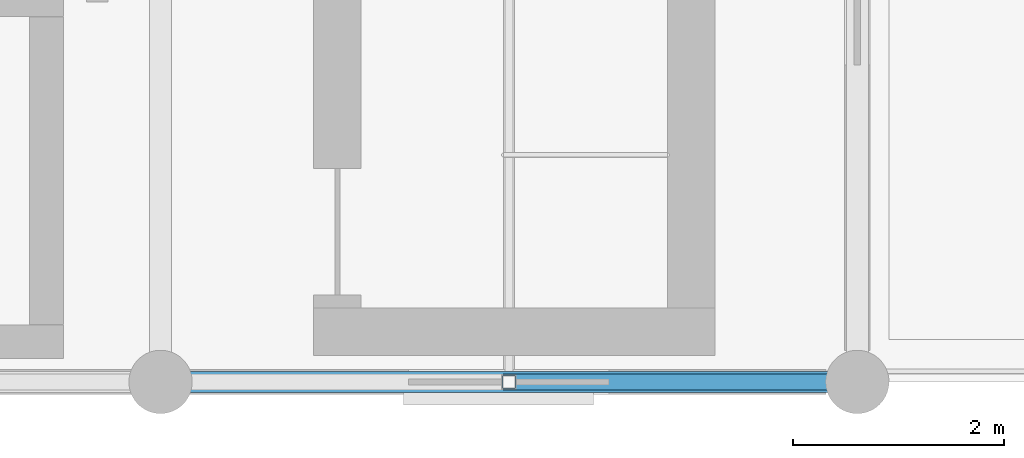
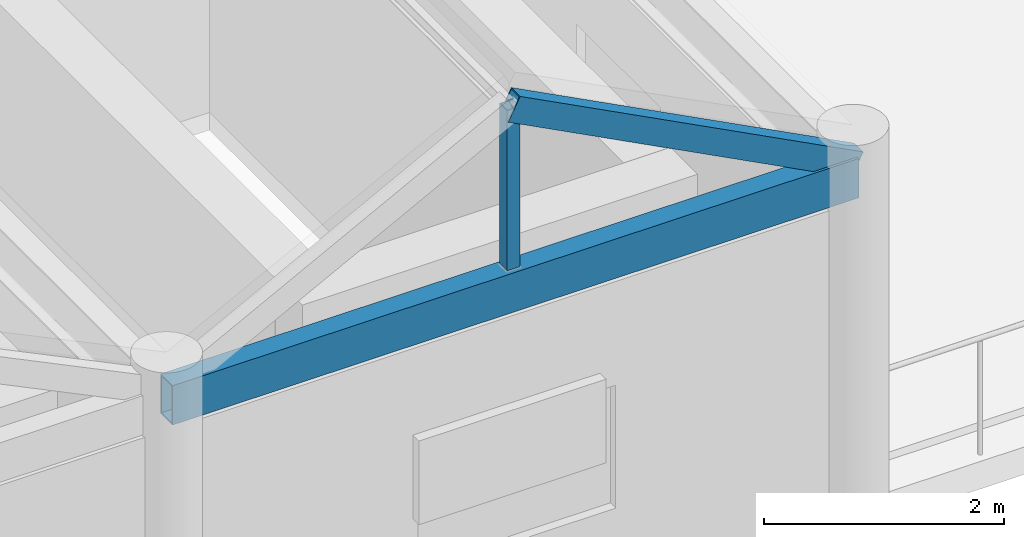
# One storey, part 6 of 21: 2 members, 1 beam.
"""IFC4 building model written with IfcOpenShell, lengths in metres."""

from ifc_helpers import new_model, si_unit, direction, frame, origin, origin_2d, place, context, subcontext, project, spatial, hollow_rectangle, extrude, material, material_profile, profile_set, type_object, element, save


model = new_model("IFC4")

# Units and contexts
model_context = context("Model", 3, precision=1e-05, world=origin(), true_north=direction((0.0, 1.0)))
body_context = subcontext(model_context, "Body", "Model", "MODEL_VIEW")
ifc_project = project(units=[si_unit("LENGTHUNIT", "METRE"), si_unit("AREAUNIT", "SQUARE_METRE"), si_unit("VOLUMEUNIT", "CUBIC_METRE"), si_unit("PLANEANGLEUNIT", "RADIAN"), si_unit("MASSUNIT", "GRAM", prefix="KILO")], contexts=[model_context])

# Site, building, storey
site_placement = place(None, origin())
site = spatial("IfcSite", under=ifc_project, at=site_placement, CompositionType="ELEMENT")
building_placement = place(site_placement, origin())
building = spatial("IfcBuilding", under=site, at=building_placement, Name="Karori Crest Natural Sciences Institute", CompositionType="ELEMENT")
storey_placement = place(building_placement, frame((0.0, 0.0, 42.0)))
storey = spatial("IfcBuildingStorey", under=building, at=storey_placement, Name="L10", CompositionType="ELEMENT", Elevation=42.0)

# Beam
ifc_material = material(Name="Hollow structural steel AS/NZS 1163 Grade C350", Category="steel")
ifc_material_profile_1 = material_profile(ifc_material, hollow_rectangle(XDim=0.199951171875, YDim=0.39990234375, WallThickness=0.012451171875, at=origin_2d()), Name="RHS400x200x12.5")
ifc_profile_set_1 = profile_set([ifc_material_profile_1], Name="Hollow structural steel AS/NZS 1163 Grade C350")
beam_type = type_object("IfcBeamType", Name="BT-14", PredefinedType="SPANDREL", material=ifc_profile_set_1)
beam_placement = place(storey_placement, frame((130.0, 0.800048828125, 3.3701171875), z_axis=(1.0, 0.0, 0.0), x_axis=(0.0, 1.0, 0.0)))
element("IfcBeam", 1, at=beam_placement, inside=storey, type_object=beam_type, Name="Beam B-2833", PredefinedType="SPANDREL", context=body_context, shape_type="SweptSolid", body=[
    extrude(hollow_rectangle(XDim=0.199951171875, YDim=0.39990234375, WallThickness=0.012451171875, at=origin_2d()), origin(), (0.0, 0.0, 1.0), 6.60009765625),
])

# Members
ifc_material_profile_2 = material_profile(ifc_material, hollow_rectangle(XDim=0.14990234375, YDim=0.25, WallThickness=0.009033203125, at=origin_2d()), Name="RHS250x150x9")
ifc_profile_set_2 = profile_set([ifc_material_profile_2], Name="Hollow structural steel AS/NZS 1163 Grade C350")
member_type_1 = type_object("IfcMemberType", Name="MT-08", PredefinedType="RAFTER", material=ifc_profile_set_2)
member_1_placement = place(storey_placement, frame((136.60009765625, 0.800048828125, 3.489990234375), z_axis=(-0.886782457456, 0.0, 0.462187054285), x_axis=(0.0, -1.0, 0.0)))
element("IfcMember", 2, at=member_1_placement, inside=storey, type_object=member_type_1, Name="Member M-0492", PredefinedType="RAFTER", context=body_context, shape_type="SweptSolid", body=[
    extrude(hollow_rectangle(XDim=0.14990234375, YDim=0.25, WallThickness=0.009033203125, at=origin_2d()), origin(), (0.0, 0.0, 1.0), 3.721435546875),
])
ifc_material_profile_3 = material_profile(ifc_material, hollow_rectangle(XDim=0.125, YDim=0.125, WallThickness=0.006103515625, at=origin_2d()), Name="SHS125x125x6")
ifc_profile_set_3 = profile_set([ifc_material_profile_3], Name="Hollow structural steel AS/NZS 1163 Grade C350")
member_type_2 = type_object("IfcMemberType", Name="MT-20", PredefinedType="STRUT", material=ifc_profile_set_3)
member_2_placement = place(storey_placement, frame((133.300048828125, 0.800048828125, 3.58203125), z_axis=(0.0, 0.0, 1.0), x_axis=(1.0, 0.0, 0.0)))
element("IfcMember", 3, at=member_2_placement, inside=storey, type_object=member_type_2, Name="Member M-0489", PredefinedType="STRUT", context=body_context, shape_type="SweptSolid", body=[
    extrude(hollow_rectangle(XDim=0.125, YDim=0.125, WallThickness=0.006103515625, at=origin_2d()), origin(), (0.0, 0.0, 1.0), 1.6279296875),
])

save(model, "model.ifc")
